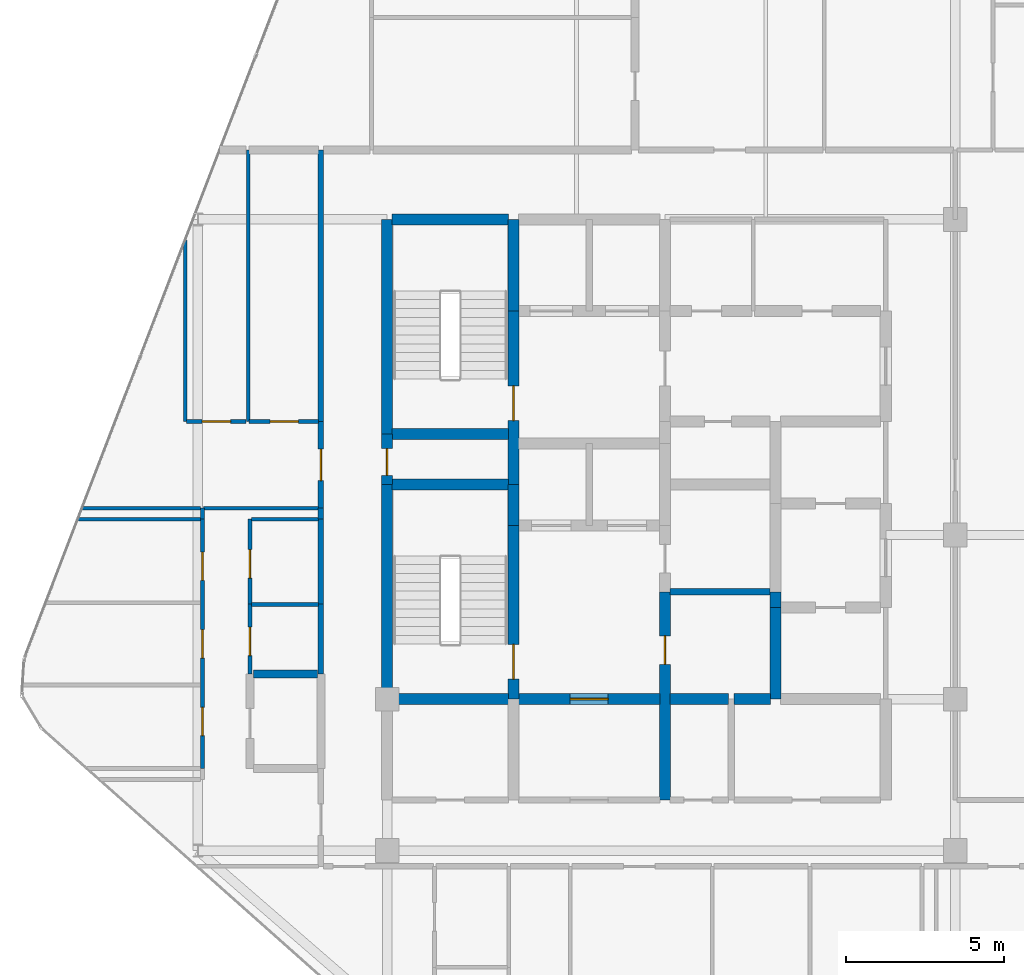
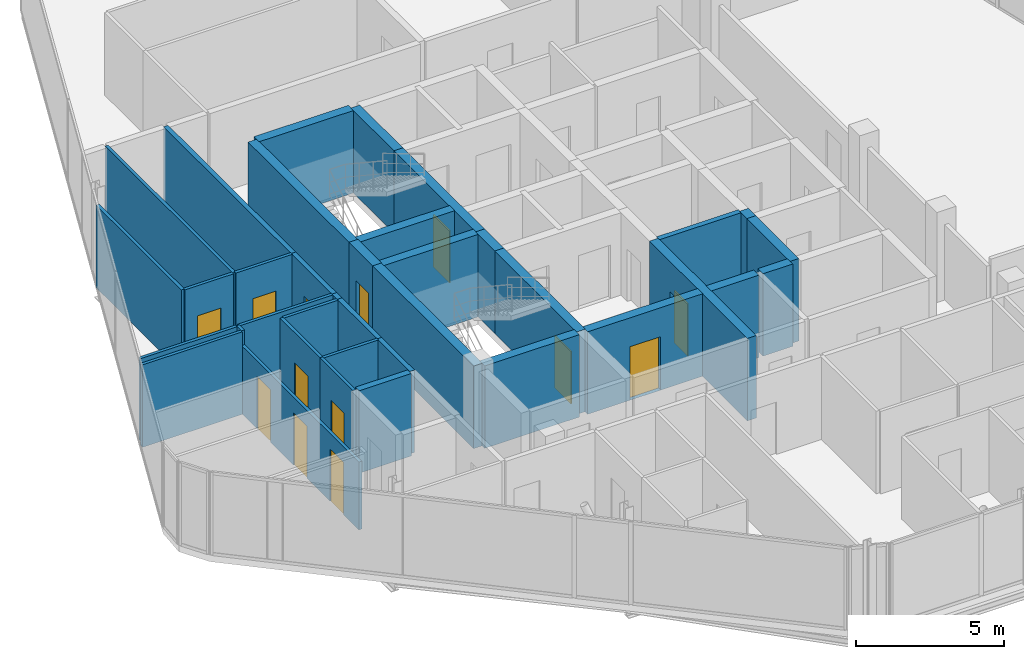
# One storey, part 23 of 27: 37 walls, 13 doors, 13 openings.
"""IFC4 building model written with IfcOpenShell, lengths in metres."""

from ifc_helpers import new_model, si_unit, direction, frame, frame_2d, origin, place, context, subcontext, project, spatial, rectangle, extrude, material, layer, layer_set, type_object, element, fill, save


model = new_model("IFC4")

# Units and contexts
model_context = context("Model", 3, precision=1e-05, world=origin(), true_north=direction((0.0, 1.0)))
body_context = subcontext(model_context, "Body", "Model", "MODEL_VIEW")
ifc_project = project(units=[si_unit("LENGTHUNIT", "METRE"), si_unit("AREAUNIT", "SQUARE_METRE"), si_unit("VOLUMEUNIT", "CUBIC_METRE"), si_unit("PLANEANGLEUNIT", "RADIAN"), si_unit("MASSUNIT", "GRAM", prefix="KILO")], contexts=[model_context])

# Site, building, storey
site_placement = place(None, origin())
site = spatial("IfcSite", under=ifc_project, at=site_placement, CompositionType="ELEMENT")
building_placement = place(site_placement, origin())
building = spatial("IfcBuilding", under=site, at=building_placement, Name="Keshet Zoharim Tower", CompositionType="ELEMENT")
storey_placement = place(building_placement, frame((0.0, 0.0, 254.699951171875)))
storey = spatial("IfcBuildingStorey", under=building, at=storey_placement, Name="L63", CompositionType="ELEMENT", Elevation=254.699951171875)

# Wall
ifc_material_1 = material(Name="Concrete C60/75", Category="concrete")
ifc_layer_1 = layer(ifc_material_1, 0.35009765625)
ifc_layer_set_1 = layer_set([ifc_layer_1], Name="Concrete C60/75")
wall_type_1 = type_object("IfcWallType", Name="WL-CORE-350", PredefinedType="SHEAR", material=ifc_layer_set_1)
wall_1_placement = place(storey_placement, frame((15.0, 22.699951171875, 0.0), z_axis=(0.0, 0.0, 1.0), x_axis=(0.0, 1.0, 0.0)))
element("IfcWall", 1, at=wall_1_placement, inside=storey, type_object=wall_type_1, Name="L63 Core Shear Wall 019", PredefinedType="SHEAR", context=body_context, shape_type="SweptSolid", body=[
    extrude(rectangle(XDim=6.800048828125, YDim=0.35009765625, at=frame_2d((3.39990234375, 0.0))), origin(), (0.0, 0.0, 1.0), 3.39013671875),
])

# Wall, opening, door
wall_2_placement = place(storey_placement, frame((15.0, 29.5, 0.0), z_axis=(0.0, 0.0, 1.0), x_axis=(0.0, 1.0, 0.0)))
wall_2 = element("IfcWall", 2, at=wall_2_placement, inside=storey, type_object=wall_type_1, Name="L63 Core Shear Wall 020", PredefinedType="SHEAR", context=body_context, shape_type="SweptSolid", body=[
    extrude(rectangle(XDim=1.60009765625, YDim=0.35009765625, at=frame_2d((0.800048828125, 0.0))), origin(), (0.0, 0.0, 1.0), 3.39013671875),
])
opening_1_placement = place(wall_2_placement, frame((0.287109375, 0.0, 0.0)))
opening_1 = element("IfcOpeningElement", 3, at=opening_1_placement, cuts=wall_2, Name="Opening D-RS85", PredefinedType="OPENING", context=body_context, shape_type="SweptSolid", body=[
    extrude(rectangle(XDim=0.85009765625, YDim=2.10009765625, at=frame_2d((0.425048828125, 1.050048828125))), frame((0.0, 0.18505859375, 0.0), z_axis=(0.0, -1.0, 0.0), x_axis=(1.0, 0.0, 0.0)), (0.0, 0.0, 1.0), 0.3701171875),
])
ifc_material_2 = material(Name="Hardwood Timber", Category="wood")
door_type_1 = type_object("IfcDoorType", Name="DR-RIS-085", OperationType="NOTDEFINED", PredefinedType="DOOR", material=ifc_material_2)
door_1_placement = place(opening_1_placement, origin())
door_1 = element("IfcDoor", 4, at=door_1_placement, inside=storey, type_object=door_type_1, Name="L63 Electrical Riser Access Cupboard Door", OperationType="SINGLE_SWING_LEFT", OverallHeight=2.10009765625, OverallWidth=0.85009765625, PredefinedType="DOOR", context=body_context, shape_type="SweptSolid", body=[
    extrude(rectangle(XDim=0.85009765625, YDim=2.10009765625, at=frame_2d((0.425048828125, 1.050048828125))), frame((0.0, 0.02490234375, 0.0), z_axis=(0.0, -1.0, 0.0), x_axis=(1.0, 0.0, 0.0)), (0.0, 0.0, 1.0), 0.050048828125),
])
fill(opening_1, door_1)

# Wall
wall_3_placement = place(storey_placement, frame((15.0, 31.10009765625, 0.0), z_axis=(0.0, 0.0, 1.0), x_axis=(0.0, 1.0, 0.0)))
element("IfcWall", 5, at=wall_3_placement, inside=storey, type_object=wall_type_1, Name="L63 Core Shear Wall 021", PredefinedType="SHEAR", context=body_context, shape_type="SweptSolid", body=[
    extrude(rectangle(XDim=6.7998046875, YDim=0.35009765625, at=frame_2d((3.39990234375, 0.0))), origin(), (0.0, 0.0, 1.0), 3.39013671875),
])

# Wall, opening, door
wall_4_placement = place(storey_placement, frame((19.0, 22.699951171875, 0.0), z_axis=(0.0, 0.0, 1.0), x_axis=(0.0, 1.0, 0.0)))
wall_4 = element("IfcWall", 6, at=wall_4_placement, inside=storey, type_object=wall_type_1, Name="L63 Core Shear Wall 027", PredefinedType="SHEAR", context=body_context, shape_type="SweptSolid", body=[
    extrude(rectangle(XDim=5.5, YDim=0.35009765625, at=frame_2d((2.75, 0.0))), origin(), (0.0, 0.0, 1.0), 3.39013671875),
])
opening_2_placement = place(wall_4_placement, frame((0.631103515625, 0.0, 0.0)))
opening_2 = element("IfcOpeningElement", 7, at=opening_2_placement, cuts=wall_4, Name="Opening D-F611", PredefinedType="OPENING", context=body_context, shape_type="SweptSolid", body=[
    extrude(rectangle(XDim=1.10009765625, YDim=2.14990234375, at=frame_2d((0.550048828125, 1.074951171875))), frame((0.0, 0.18505859375, 0.0), z_axis=(0.0, -1.0, 0.0), x_axis=(1.0, 0.0, 0.0)), (0.0, 0.0, 1.0), 0.3701171875),
])
door_type_2 = type_object("IfcDoorType", Name="DR-FD60-110", OperationType="NOTDEFINED", PredefinedType="DOOR", material=ifc_material_2)
door_2_placement = place(opening_2_placement, origin())
door_2 = element("IfcDoor", 8, at=door_2_placement, inside=storey, type_object=door_type_2, Name="L63 Exit Stair ST-01 Fire Door", OperationType="SINGLE_SWING_RIGHT", OverallHeight=2.14990234375, OverallWidth=1.10009765625, PredefinedType="DOOR", context=body_context, shape_type="SweptSolid", body=[
    extrude(rectangle(XDim=1.10009765625, YDim=2.14990234375, at=frame_2d((0.550048828125, 1.074951171875))), frame((0.0, 0.02490234375, 0.0), z_axis=(0.0, -1.0, 0.0), x_axis=(1.0, 0.0, 0.0)), (0.0, 0.0, 1.0), 0.050048828125),
])
fill(opening_2, door_2)

# Wall
wall_5_placement = place(storey_placement, frame((19.0, 28.199951171875, 0.0), z_axis=(0.0, 0.0, 1.0), x_axis=(0.0, 1.0, 0.0)))
element("IfcWall", 9, at=wall_5_placement, inside=storey, type_object=wall_type_1, Name="L63 Core Shear Wall 028", PredefinedType="SHEAR", context=body_context, shape_type="SweptSolid", body=[
    extrude(rectangle(XDim=1.300048828125, YDim=0.35009765625, at=frame_2d((0.64990234375, 0.0))), origin(), (0.0, 0.0, 1.0), 3.39013671875),
])

# Wall, opening, door
wall_6_placement = place(storey_placement, frame((19.0, 29.5, 0.0), z_axis=(0.0, 0.0, 1.0), x_axis=(0.0, 1.0, 0.0)))
wall_6 = element("IfcWall", 10, at=wall_6_placement, inside=storey, type_object=wall_type_1, Name="L63 Core Shear Wall 029", PredefinedType="SHEAR", context=body_context, shape_type="SweptSolid", body=[
    extrude(rectangle(XDim=5.5, YDim=0.35009765625, at=frame_2d((2.75, 0.0))), origin(), (0.0, 0.0, 1.0), 3.39013671875),
])
opening_3_placement = place(wall_6_placement, frame((2.02490234375, 0.0, 0.0)))
opening_3 = element("IfcOpeningElement", 11, at=opening_3_placement, cuts=wall_6, Name="Opening D-F611", PredefinedType="OPENING", context=body_context, shape_type="SweptSolid", body=[
    extrude(rectangle(XDim=1.10009765625, YDim=2.14990234375, at=frame_2d((0.550048828125, 1.074951171875))), frame((0.0, 0.18505859375, 0.0), z_axis=(0.0, -1.0, 0.0), x_axis=(1.0, 0.0, 0.0)), (0.0, 0.0, 1.0), 0.3701171875),
])
door_3_placement = place(opening_3_placement, origin())
door_3 = element("IfcDoor", 12, at=door_3_placement, inside=storey, type_object=door_type_2, Name="L63 Exit Stair ST-02 Fire Door", OperationType="SINGLE_SWING_LEFT", OverallHeight=2.14990234375, OverallWidth=1.10009765625, PredefinedType="DOOR", context=body_context, shape_type="SweptSolid", body=[
    extrude(rectangle(XDim=1.10009765625, YDim=2.14990234375, at=frame_2d((0.550048828125, 1.074951171875))), frame((0.0, 0.02490234375, 0.0), z_axis=(0.0, -1.0, 0.0), x_axis=(1.0, 0.0, 0.0)), (0.0, 0.0, 1.0), 0.050048828125),
])
fill(opening_3, door_3)

# Wall
wall_7_placement = place(storey_placement, frame((19.0, 35.0, 0.0), z_axis=(0.0, 0.0, 1.0), x_axis=(0.0, 1.0, 0.0)))
element("IfcWall", 13, at=wall_7_placement, inside=storey, type_object=wall_type_1, Name="L63 Core Shear Wall 030", PredefinedType="SHEAR", context=body_context, shape_type="SweptSolid", body=[
    extrude(rectangle(XDim=2.89990234375, YDim=0.35009765625, at=frame_2d((1.449951171875, 0.0))), origin(), (0.0, 0.0, 1.0), 3.39013671875),
])

# Wall, opening, door
wall_8_placement = place(storey_placement, frame((23.800048828125, 19.5, 0.0), z_axis=(0.0, 0.0, 1.0), x_axis=(0.0, 1.0, 0.0)))
wall_8 = element("IfcWall", 14, at=wall_8_placement, inside=storey, type_object=wall_type_1, Name="L63 Core Shear Wall 037", PredefinedType="SHEAR", context=body_context, shape_type="SweptSolid", body=[
    extrude(rectangle(XDim=6.60009765625, YDim=0.35009765625, at=frame_2d((3.300048828125, 0.0))), origin(), (0.0, 0.0, 1.0), 3.39013671875),
])
opening_4_placement = place(wall_8_placement, frame((4.303955078125, 0.0, 0.0)))
opening_4 = element("IfcOpeningElement", 15, at=opening_4_placement, cuts=wall_8, Name="Opening D-F690", PredefinedType="OPENING", context=body_context, shape_type="SweptSolid", body=[
    extrude(rectangle(XDim=0.89990234375, YDim=2.14990234375, at=frame_2d((0.449951171875, 1.074951171875))), frame((0.0, 0.18505859375, 0.0), z_axis=(0.0, -1.0, 0.0), x_axis=(1.0, 0.0, 0.0)), (0.0, 0.0, 1.0), 0.3701171875),
])
door_type_3 = type_object("IfcDoorType", Name="DR-FD60-090", OperationType="NOTDEFINED", PredefinedType="DOOR", material=ifc_material_2)
door_4_placement = place(opening_4_placement, origin())
door_4 = element("IfcDoor", 16, at=door_4_placement, inside=storey, type_object=door_type_3, Name="L63 Core Linen Store Door", OperationType="SINGLE_SWING_LEFT", OverallHeight=2.14990234375, OverallWidth=0.89990234375, PredefinedType="DOOR", context=body_context, shape_type="SweptSolid", body=[
    extrude(rectangle(XDim=0.89990234375, YDim=2.14990234375, at=frame_2d((0.449951171875, 1.074951171875))), frame((0.0, 0.02490234375, 0.0), z_axis=(0.0, -1.0, 0.0), x_axis=(1.0, 0.0, 0.0)), (0.0, 0.0, 1.0), 0.050048828125),
])
fill(opening_4, door_4)

# Walls
wall_9_placement = place(storey_placement, frame((27.300048828125, 22.699951171875, 0.0), z_axis=(0.0, 0.0, 1.0), x_axis=(0.0, 1.0, 0.0)))
element("IfcWall", 17, at=wall_9_placement, inside=storey, type_object=wall_type_1, Name="L63 Core Shear Wall 047", PredefinedType="SHEAR", context=body_context, shape_type="SweptSolid", body=[
    extrude(rectangle(XDim=2.900146484375, YDim=0.35009765625, at=frame_2d((1.4501953125, 0.0))), origin(), (0.0, 0.0, 1.0), 3.39013671875),
])
wall_10_placement = place(storey_placement, frame((27.300048828125, 25.60009765625, 0.0), z_axis=(0.0, 0.0, 1.0), x_axis=(0.0, 1.0, 0.0)))
element("IfcWall", 18, at=wall_10_placement, inside=storey, type_object=wall_type_1, Name="L63 Core Shear Wall 048", PredefinedType="SHEAR", context=body_context, shape_type="SweptSolid", body=[
    extrude(rectangle(XDim=0.5, YDim=0.35009765625, at=frame_2d((0.25, 0.0))), origin(), (0.0, 0.0, 1.0), 3.39013671875),
])
wall_11_placement = place(storey_placement, frame((15.159912109375, 22.699951171875, 0.0), z_axis=(0.0, 0.0, 1.0), x_axis=(1.0, 0.0, 0.0)))
element("IfcWall", 19, at=wall_11_placement, inside=storey, type_object=wall_type_1, Name="L63 Core Shear Wall 100", PredefinedType="SHEAR", context=body_context, shape_type="SweptSolid", body=[
    extrude(rectangle(XDim=3.68017578125, YDim=0.35009765625, at=frame_2d((1.840087890625, 0.0))), origin(), (0.0, 0.0, 1.0), 3.39013671875),
])

# Wall, opening, door
wall_12_placement = place(storey_placement, frame((19.159912109375, 22.699951171875, 0.0), z_axis=(0.0, 0.0, 1.0), x_axis=(1.0, 0.0, 0.0)))
wall_12 = element("IfcWall", 20, at=wall_12_placement, inside=storey, type_object=wall_type_1, Name="L63 Core Shear Wall 101", PredefinedType="SHEAR", context=body_context, shape_type="SweptSolid", body=[
    extrude(rectangle(XDim=4.47998046875, YDim=0.35009765625, at=frame_2d((2.239990234375, 0.0))), origin(), (0.0, 0.0, 1.0), 3.39013671875),
])
opening_5_placement = place(wall_12_placement, frame((1.639892578125, 0.0, 0.0)))
opening_5 = element("IfcOpeningElement", 21, at=opening_5_placement, cuts=wall_12, Name="Opening D-F612", PredefinedType="OPENING", context=body_context, shape_type="SweptSolid", body=[
    extrude(rectangle(XDim=1.199951171875, YDim=2.199951171875, at=frame_2d((0.60009765625, 1.10009765625))), frame((0.0, 0.18505859375, 0.0), z_axis=(0.0, -1.0, 0.0), x_axis=(1.0, 0.0, 0.0)), (0.0, 0.0, 1.0), 0.3701171875),
])
door_type_4 = type_object("IfcDoorType", Name="DR-FD60-120", OperationType="NOTDEFINED", PredefinedType="DOOR", material=ifc_material_2)
door_5_placement = place(opening_5_placement, origin())
door_5 = element("IfcDoor", 22, at=door_5_placement, inside=storey, type_object=door_type_4, Name="L63 South Core Lobby Fire Door", OperationType="SINGLE_SWING_LEFT", OverallHeight=2.199951171875, OverallWidth=1.199951171875, PredefinedType="DOOR", context=body_context, shape_type="SweptSolid", body=[
    extrude(rectangle(XDim=1.199951171875, YDim=2.199951171875, at=frame_2d((0.60009765625, 1.10009765625))), frame((0.0, 0.02490234375, 0.0), z_axis=(0.0, -1.0, 0.0), x_axis=(1.0, 0.0, 0.0)), (0.0, 0.0, 1.0), 0.050048828125),
])
fill(opening_5, door_5)

# Walls
wall_13_placement = place(storey_placement, frame((23.9599609375, 22.699951171875, 0.0), z_axis=(0.0, 0.0, 1.0), x_axis=(1.0, 0.0, 0.0)))
element("IfcWall", 23, at=wall_13_placement, inside=storey, type_object=wall_type_1, Name="L63 Core Shear Wall 102", PredefinedType="SHEAR", context=body_context, shape_type="SweptSolid", body=[
    extrude(rectangle(XDim=1.85498046875, YDim=0.35009765625, at=frame_2d((0.927490234375, 0.0))), origin(), (0.0, 0.0, 1.0), 3.39013671875),
])
wall_14_placement = place(storey_placement, frame((25.985107421875, 22.699951171875, 0.0), z_axis=(0.0, 0.0, 1.0), x_axis=(1.0, 0.0, 0.0)))
element("IfcWall", 24, at=wall_14_placement, inside=storey, type_object=wall_type_1, Name="L63 Core Shear Wall 103", PredefinedType="SHEAR", context=body_context, shape_type="SweptSolid", body=[
    extrude(rectangle(XDim=1.15478515625, YDim=0.35009765625, at=frame_2d((0.577392578125, 0.0))), origin(), (0.0, 0.0, 1.0), 3.39013671875),
])
for number, where, z_axis, x_axis, name in (
    (25, (15.159912109375, 29.5, 0.0), (0.0, 0.0, 1.0), (1.0, 0.0, 0.0), "L63 Core Shear Wall 117"),
    (26, (15.159912109375, 31.10009765625, 0.0), (0.0, 0.0, 1.0), (1.0, 0.0, 0.0), "L63 Core Shear Wall 120"),
    (27, (15.159912109375, 37.89990234375, 0.0), (0.0, 0.0, 1.0), (1.0, 0.0, 0.0), "L63 Core Shear Wall 128"),
):
    element("IfcWall", number, at=place(storey_placement, frame(where, z_axis=z_axis, x_axis=x_axis)), inside=storey, type_object=wall_type_1, Name=name, PredefinedType="SHEAR", context=body_context, shape_type="SweptSolid", body=[
        extrude(rectangle(XDim=3.68017578125, YDim=0.35009765625, at=frame_2d((1.840087890625, 0.0))), origin(), (0.0, 0.0, 1.0), 3.39013671875),
    ])
ifc_material_3 = material(Name="Gypsum Plasterboard", Category="gypsum")
ifc_layer_2 = layer(ifc_material_3, 0.179931640625)
ifc_layer_set_2 = layer_set([ifc_layer_2], Name="Gypsum Plasterboard")
wall_type_2 = type_object("IfcWallType", Name="WL-CORR-180", PredefinedType="STANDARD", material=ifc_layer_set_2)
wall_15_placement = place(storey_placement, frame((12.89990234375, 23.501953125, 0.0), z_axis=(0.0, 0.0, 1.0), x_axis=(0.0, 1.0, 0.0)))
element("IfcWall", 28, at=wall_15_placement, inside=storey, type_object=wall_type_2, Name="L63 Interior Wall 011", PredefinedType="STANDARD", context=body_context, shape_type="SweptSolid", body=[
    extrude(rectangle(XDim=2.212158203125, YDim=0.179931640625, at=frame_2d((1.10595703125, 0.0))), origin(), (0.0, 0.0, 1.0), 3.39013671875),
])
wall_16_placement = place(storey_placement, frame((12.89990234375, 25.714111328125, 0.0), z_axis=(0.0, 0.0, 1.0), x_axis=(0.0, 1.0, 0.0)))
element("IfcWall", 29, at=wall_16_placement, inside=storey, type_object=wall_type_2, Name="L63 Interior Wall 012", PredefinedType="STANDARD", context=body_context, shape_type="SweptSolid", body=[
    extrude(rectangle(XDim=2.685791015625, YDim=0.179931640625, at=frame_2d((1.3427734375, 0.0))), origin(), (0.0, 0.0, 1.0), 3.39013671875),
])
wall_17_placement = place(storey_placement, frame((12.89990234375, 28.39990234375, 0.0), z_axis=(0.0, 0.0, 1.0), x_axis=(0.0, 1.0, 0.0)))
element("IfcWall", 30, at=wall_17_placement, inside=storey, type_object=wall_type_2, Name="L63 Interior Wall 013", PredefinedType="STANDARD", context=body_context, shape_type="SweptSolid", body=[
    extrude(rectangle(XDim=0.35009765625, YDim=0.179931640625, at=frame_2d((0.175048828125, 0.0))), origin(), (0.0, 0.0, 1.0), 3.39013671875),
])

# Wall, opening, door
wall_18_placement = place(storey_placement, frame((12.89990234375, 28.75, 0.0), z_axis=(0.0, 0.0, 1.0), x_axis=(0.0, 1.0, 0.0)))
wall_18 = element("IfcWall", 31, at=wall_18_placement, inside=storey, type_object=wall_type_2, Name="L63 Interior Wall 014", PredefinedType="STANDARD", context=body_context, shape_type="SweptSolid", body=[
    extrude(rectangle(XDim=2.75, YDim=0.179931640625, at=frame_2d((1.375, 0.0))), origin(), (0.0, 0.0, 1.0), 3.39013671875),
])
opening_6_placement = place(wall_18_placement, frame((0.875, 0.0, 0.0)))
opening_6 = element("IfcOpeningElement", 32, at=opening_6_placement, cuts=wall_18, Name="Opening D-F310", PredefinedType="OPENING", context=body_context, shape_type="SweptSolid", body=[
    extrude(rectangle(XDim=1.0, YDim=2.14990234375, at=frame_2d((0.5, 1.074951171875))), frame((0.0, 0.10009765625, 0.0), z_axis=(0.0, -1.0, 0.0), x_axis=(1.0, 0.0, 0.0)), (0.0, 0.0, 1.0), 0.199951171875),
])
door_type_5 = type_object("IfcDoorType", Name="DR-FD30-100", OperationType="NOTDEFINED", PredefinedType="DOOR", material=ifc_material_2)
door_6_placement = place(opening_6_placement, origin())
door_6 = element("IfcDoor", 33, at=door_6_placement, inside=storey, type_object=door_type_5, Name="Apartment 6306 Entrance Door", OperationType="SINGLE_SWING_RIGHT", OverallHeight=2.14990234375, OverallWidth=1.0, PredefinedType="DOOR", context=body_context, shape_type="SweptSolid", body=[
    extrude(rectangle(XDim=1.0, YDim=2.14990234375, at=frame_2d((0.5, 1.074951171875))), frame((0.0, 0.02490234375, 0.0), z_axis=(0.0, -1.0, 0.0), x_axis=(1.0, 0.0, 0.0)), (0.0, 0.0, 1.0), 0.050048828125),
])
fill(opening_6, door_6)

# Walls
wall_19_placement = place(storey_placement, frame((12.89990234375, 31.5, 0.0), z_axis=(0.0, 0.0, 1.0), x_axis=(0.0, 1.0, 0.0)))
element("IfcWall", 34, at=wall_19_placement, inside=storey, type_object=wall_type_2, Name="L63 Interior Wall 015", PredefinedType="STANDARD", context=body_context, shape_type="SweptSolid", body=[
    extrude(rectangle(XDim=8.60009765625, YDim=0.179931640625, at=frame_2d((4.300048828125, 0.0))), origin(), (0.0, 0.0, 1.0), 3.39013671875),
])
ifc_material_4 = material(Name="Concrete C50/60", Category="concrete")
ifc_layer_3 = layer(ifc_material_4, 0.199951171875)
ifc_layer_set_3 = layer_set([ifc_layer_3], Name="Concrete C50/60")
wall_type_3 = type_object("IfcWallType", Name="WL-FIRE-200", PredefinedType="STANDARD", material=ifc_layer_set_3)
wall_20_placement = place(storey_placement, frame((23.9599609375, 26.10009765625, 0.0), z_axis=(0.0, 0.0, 1.0), x_axis=(1.0, 0.0, 0.0)))
element("IfcWall", 35, at=wall_20_placement, inside=storey, type_object=wall_type_3, Name="L63 Interior Wall 110", PredefinedType="STANDARD", context=body_context, shape_type="SweptSolid", body=[
    extrude(rectangle(XDim=3.179931640625, YDim=0.199951171875, at=frame_2d((1.58984375, 0.0))), origin(), (0.0, 0.0, 1.0), 3.39013671875),
])
ifc_layer_4 = layer(ifc_material_4, 0.25)
ifc_layer_set_4 = layer_set([ifc_layer_4], Name="Concrete C50/60")
wall_type_4 = type_object("IfcWallType", Name="WL-MAMAD-250", PredefinedType="STANDARD", material=ifc_layer_set_4)
wall_21_placement = place(storey_placement, frame((10.760009765625, 23.5, 0.0), z_axis=(0.0, 0.0, 1.0), x_axis=(1.0, 0.0, 0.0)))
element("IfcWall", 36, at=wall_21_placement, inside=storey, type_object=wall_type_4, Name="L63 Interior Wall 106", PredefinedType="STANDARD", context=body_context, shape_type="SweptSolid", body=[
    extrude(rectangle(XDim=2.030029296875, YDim=0.25, at=frame_2d((1.01513671875, 0.0))), origin(), (0.0, 0.0, 1.0), 3.39013671875),
])
ifc_layer_5 = layer(ifc_material_3, 0.1201171875)
ifc_layer_set_5 = layer_set([ifc_layer_5], Name="Gypsum Plasterboard")
wall_type_5 = type_object("IfcWallType", Name="WL-PART-120", PredefinedType="PARTITIONING", material=ifc_layer_set_5)
wall_22_placement = place(storey_placement, frame((8.60009765625, 31.5, 0.0), z_axis=(0.0, 0.0, 1.0), x_axis=(0.0, 1.0, 0.0)))
element("IfcWall", 37, at=wall_22_placement, inside=storey, type_object=wall_type_5, Name="L63 Interior Wall 001", PredefinedType="PARTITIONING", context=body_context, shape_type="SweptSolid", body=[
    extrude(rectangle(XDim=5.75, YDim=0.1201171875, at=frame_2d((2.875, 0.0))), origin(), (0.0, 0.0, 1.0), 3.39013671875),
])

# Wall, openings, doors
wall_23_placement = place(storey_placement, frame((9.14990234375, 20.5, 0.0), z_axis=(0.0, 0.0, 1.0), x_axis=(0.0, 1.0, 0.0)))
wall_23 = element("IfcWall", 38, at=wall_23_placement, inside=storey, type_object=wall_type_5, Name="L63 Interior Wall 003", PredefinedType="PARTITIONING", context=body_context, shape_type="SweptSolid", body=[
    extrude(rectangle(XDim=7.89990234375, YDim=0.1201171875, at=frame_2d((3.949951171875, 0.0))), origin(), (0.0, 0.0, 1.0), 2.7900390625),
])
opening_7_placement = place(wall_23_placement, frame((1.041015625, 0.0, 0.0)))
opening_7 = element("IfcOpeningElement", 39, at=opening_7_placement, cuts=wall_23, Name="Opening D-IN90", PredefinedType="OPENING", context=body_context, shape_type="SweptSolid", body=[
    extrude(rectangle(XDim=0.89990234375, YDim=2.14990234375, at=frame_2d((0.449951171875, 1.074951171875))), frame((0.0, 0.070068359375, 0.0), z_axis=(0.0, -1.0, 0.0), x_axis=(1.0, 0.0, 0.0)), (0.0, 0.0, 1.0), 0.14013671875),
])
opening_8_placement = place(wall_23_placement, frame((3.5, 0.0, 0.0)))
opening_8 = element("IfcOpeningElement", 40, at=opening_8_placement, cuts=wall_23, Name="Opening D-IN90", PredefinedType="OPENING", context=body_context, shape_type="SweptSolid", body=[
    extrude(rectangle(XDim=0.89990234375, YDim=2.14990234375, at=frame_2d((0.449951171875, 1.074951171875))), frame((0.0, 0.070068359375, 0.0), z_axis=(0.0, -1.0, 0.0), x_axis=(1.0, 0.0, 0.0)), (0.0, 0.0, 1.0), 0.14013671875),
])
opening_9_placement = place(wall_23_placement, frame((5.958984375, 0.0, 0.0)))
opening_9 = element("IfcOpeningElement", 41, at=opening_9_placement, cuts=wall_23, Name="Opening D-IN90", PredefinedType="OPENING", context=body_context, shape_type="SweptSolid", body=[
    extrude(rectangle(XDim=0.89990234375, YDim=2.14990234375, at=frame_2d((0.449951171875, 1.074951171875))), frame((0.0, 0.070068359375, 0.0), z_axis=(0.0, -1.0, 0.0), x_axis=(1.0, 0.0, 0.0)), (0.0, 0.0, 1.0), 0.14013671875),
])
door_type_6 = type_object("IfcDoorType", Name="DR-INT-090", OperationType="NOTDEFINED", PredefinedType="DOOR", material=ifc_material_2)
door_7_placement = place(opening_7_placement, origin())
door_7 = element("IfcDoor", 42, at=door_7_placement, inside=storey, type_object=door_type_6, Name="Apartment 6305 Bedroom 1 Door", OperationType="SINGLE_SWING_LEFT", OverallHeight=2.14990234375, OverallWidth=0.89990234375, PredefinedType="DOOR", context=body_context, shape_type="SweptSolid", body=[
    extrude(rectangle(XDim=0.89990234375, YDim=2.14990234375, at=frame_2d((0.449951171875, 1.074951171875))), frame((0.0, 0.02490234375, 0.0), z_axis=(0.0, -1.0, 0.0), x_axis=(1.0, 0.0, 0.0)), (0.0, 0.0, 1.0), 0.050048828125),
])
fill(opening_7, door_7)
door_8_placement = place(opening_8_placement, origin())
door_8 = element("IfcDoor", 43, at=door_8_placement, inside=storey, type_object=door_type_6, Name="Apartment 6305 Bedroom 2 Door", OperationType="SINGLE_SWING_RIGHT", OverallHeight=2.14990234375, OverallWidth=0.89990234375, PredefinedType="DOOR", context=body_context, shape_type="SweptSolid", body=[
    extrude(rectangle(XDim=0.89990234375, YDim=2.14990234375, at=frame_2d((0.449951171875, 1.074951171875))), frame((0.0, 0.02490234375, 0.0), z_axis=(0.0, -1.0, 0.0), x_axis=(1.0, 0.0, 0.0)), (0.0, 0.0, 1.0), 0.050048828125),
])
fill(opening_8, door_8)
door_9_placement = place(opening_9_placement, origin())
door_9 = element("IfcDoor", 44, at=door_9_placement, inside=storey, type_object=door_type_6, Name="Apartment 6305 Bedroom 3 Door", OperationType="SINGLE_SWING_LEFT", OverallHeight=2.14990234375, OverallWidth=0.89990234375, PredefinedType="DOOR", context=body_context, shape_type="SweptSolid", body=[
    extrude(rectangle(XDim=0.89990234375, YDim=2.14990234375, at=frame_2d((0.449951171875, 1.074951171875))), frame((0.0, 0.02490234375, 0.0), z_axis=(0.0, -1.0, 0.0), x_axis=(1.0, 0.0, 0.0)), (0.0, 0.0, 1.0), 0.050048828125),
])
fill(opening_9, door_9)

# Wall
wall_24_placement = place(storey_placement, frame((9.14990234375, 28.39990234375, 0.0), z_axis=(0.0, 0.0, 1.0), x_axis=(0.0, 1.0, 0.0)))
element("IfcWall", 45, at=wall_24_placement, inside=storey, type_object=wall_type_5, Name="L63 Interior Wall 004", PredefinedType="PARTITIONING", context=body_context, shape_type="SweptSolid", body=[
    extrude(rectangle(XDim=0.35009765625, YDim=0.1201171875, at=frame_2d((0.175048828125, 0.0))), origin(), (0.0, 0.0, 1.0), 3.39013671875),
])

# Wall, opening, door
wall_25_placement = place(storey_placement, frame((10.64990234375, 25.714111328125, 0.0), z_axis=(0.0, 0.0, 1.0), x_axis=(0.0, 1.0, 0.0)))
wall_25 = element("IfcWall", 46, at=wall_25_placement, inside=storey, type_object=wall_type_5, Name="L63 Interior Wall 008", PredefinedType="PARTITIONING", context=body_context, shape_type="SweptSolid", body=[
    extrude(rectangle(XDim=2.685791015625, YDim=0.1201171875, at=frame_2d((1.3427734375, 0.0))), origin(), (0.0, 0.0, 1.0), 3.39013671875),
])
opening_10_placement = place(wall_25_placement, frame((0.822021484375, 0.0, 0.0)))
opening_10 = element("IfcOpeningElement", 47, at=opening_10_placement, cuts=wall_25, Name="Opening D-IN90", PredefinedType="OPENING", context=body_context, shape_type="SweptSolid", body=[
    extrude(rectangle(XDim=0.89990234375, YDim=2.14990234375, at=frame_2d((0.449951171875, 1.074951171875))), frame((0.0, 0.070068359375, 0.0), z_axis=(0.0, -1.0, 0.0), x_axis=(1.0, 0.0, 0.0)), (0.0, 0.0, 1.0), 0.14013671875),
])
door_10_placement = place(opening_10_placement, origin())
door_10 = element("IfcDoor", 48, at=door_10_placement, inside=storey, type_object=door_type_6, Name="Apartment 6305 Kitchen Door", OperationType="SINGLE_SWING_RIGHT", OverallHeight=2.14990234375, OverallWidth=0.89990234375, PredefinedType="DOOR", context=body_context, shape_type="SweptSolid", body=[
    extrude(rectangle(XDim=0.89990234375, YDim=2.14990234375, at=frame_2d((0.449951171875, 1.074951171875))), frame((0.0, 0.02490234375, 0.0), z_axis=(0.0, -1.0, 0.0), x_axis=(1.0, 0.0, 0.0)), (0.0, 0.0, 1.0), 0.050048828125),
])
fill(opening_10, door_10)

# Walls
wall_26_placement = place(storey_placement, frame((5.201904296875, 28.39990234375, 0.0), z_axis=(0.0, 0.0, 1.0), x_axis=(1.0, 0.0, 0.0)))
element("IfcWall", 49, at=wall_26_placement, inside=storey, type_object=wall_type_5, Name="L63 Interior Wall 112", PredefinedType="PARTITIONING", context=body_context, shape_type="SweptSolid", body=[
    extrude(rectangle(XDim=3.883056640625, YDim=0.1201171875, at=frame_2d((1.94140625, 0.0))), origin(), (0.0, 0.0, 1.0), 3.39013671875),
])
wall_27_placement = place(storey_placement, frame((10.695068359375, 28.39990234375, 0.0), z_axis=(0.0, 0.0, 1.0), x_axis=(1.0, 0.0, 0.0)))
element("IfcWall", 50, at=wall_27_placement, inside=storey, type_object=wall_type_5, Name="L63 Interior Wall 113", PredefinedType="PARTITIONING", context=body_context, shape_type="SweptSolid", body=[
    extrude(rectangle(XDim=2.1298828125, YDim=0.1201171875, at=frame_2d((1.06494140625, 0.0))), origin(), (0.0, 0.0, 1.0), 3.39013671875),
])
wall_28_placement = place(storey_placement, frame((5.3369140625, 28.75, 0.0), z_axis=(0.0, 0.0, 1.0), x_axis=(1.0, 0.0, 0.0)))
element("IfcWall", 51, at=wall_28_placement, inside=storey, type_object=wall_type_5, Name="L63 Interior Wall 114", PredefinedType="PARTITIONING", context=body_context, shape_type="SweptSolid", body=[
    extrude(rectangle(XDim=3.748046875, YDim=0.1201171875, at=frame_2d((1.8740234375, 0.0))), origin(), (0.0, 0.0, 1.0), 3.39013671875),
])
wall_29_placement = place(storey_placement, frame((9.175048828125, 28.75, 0.0), z_axis=(0.0, 0.0, 1.0), x_axis=(1.0, 0.0, 0.0)))
element("IfcWall", 52, at=wall_29_placement, inside=storey, type_object=wall_type_5, Name="L63 Interior Wall 115", PredefinedType="PARTITIONING", context=body_context, shape_type="SweptSolid", body=[
    extrude(rectangle(XDim=3.64990234375, YDim=0.1201171875, at=frame_2d((1.824951171875, 0.0))), origin(), (0.0, 0.0, 1.0), 3.39013671875),
])

# Wall, opening, door
wall_30_placement = place(storey_placement, frame((8.64501953125, 31.5, 0.0), z_axis=(0.0, 0.0, 1.0), x_axis=(1.0, 0.0, 0.0)))
wall_30 = element("IfcWall", 53, at=wall_30_placement, inside=storey, type_object=wall_type_5, Name="L63 Interior Wall 121", PredefinedType="PARTITIONING", context=body_context, shape_type="SweptSolid", body=[
    extrude(rectangle(XDim=1.887939453125, YDim=0.1201171875, at=frame_2d((0.94384765625, 0.0))), origin(), (0.0, 0.0, 1.0), 3.39013671875),
])
opening_11_placement = place(wall_30_placement, frame((0.493896484375, 0.0, 0.0)))
opening_11 = element("IfcOpeningElement", 54, at=opening_11_placement, cuts=wall_30, Name="Opening D-IN90", PredefinedType="OPENING", context=body_context, shape_type="SweptSolid", body=[
    extrude(rectangle(XDim=0.89990234375, YDim=2.14990234375, at=frame_2d((0.449951171875, 1.074951171875))), frame((0.0, 0.070068359375, 0.0), z_axis=(0.0, -1.0, 0.0), x_axis=(1.0, 0.0, 0.0)), (0.0, 0.0, 1.0), 0.14013671875),
])
door_11_placement = place(opening_11_placement, origin())
door_11 = element("IfcDoor", 55, at=door_11_placement, inside=storey, type_object=door_type_6, Name="Apartment 6306 Kitchen Door", OperationType="SINGLE_SWING_RIGHT", OverallHeight=2.14990234375, OverallWidth=0.89990234375, PredefinedType="DOOR", context=body_context, shape_type="SweptSolid", body=[
    extrude(rectangle(XDim=0.89990234375, YDim=2.14990234375, at=frame_2d((0.449951171875, 1.074951171875))), frame((0.0, 0.02490234375, 0.0), z_axis=(0.0, -1.0, 0.0), x_axis=(1.0, 0.0, 0.0)), (0.0, 0.0, 1.0), 0.050048828125),
])
fill(opening_11, door_11)

# Wall
ifc_layer_6 = layer(ifc_material_3, 0.1201171875)
ifc_layer_set_6 = layer_set([ifc_layer_6], Name="Gypsum Plasterboard")
wall_type_6 = type_object("IfcWallType", Name="WL-WET-120", PredefinedType="PARTITIONING", material=ifc_layer_set_6)
wall_31_placement = place(storey_placement, frame((10.60009765625, 31.5, 0.0), z_axis=(0.0, 0.0, 1.0), x_axis=(0.0, 1.0, 0.0)))
element("IfcWall", 56, at=wall_31_placement, inside=storey, type_object=wall_type_6, Name="L63 Interior Wall 005", PredefinedType="PARTITIONING", context=body_context, shape_type="SweptSolid", body=[
    extrude(rectangle(XDim=8.60009765625, YDim=0.1201171875, at=frame_2d((4.300048828125, 0.0))), origin(), (0.0, 0.0, 1.0), 3.39013671875),
])

# Wall, opening, door
wall_32_placement = place(storey_placement, frame((10.64990234375, 23.501953125, 0.0), z_axis=(0.0, 0.0, 1.0), x_axis=(0.0, 1.0, 0.0)))
wall_32 = element("IfcWall", 57, at=wall_32_placement, inside=storey, type_object=wall_type_6, Name="L63 Interior Wall 007", PredefinedType="PARTITIONING", context=body_context, shape_type="SweptSolid", body=[
    extrude(rectangle(XDim=2.212158203125, YDim=0.1201171875, at=frame_2d((1.10595703125, 0.0))), origin(), (0.0, 0.0, 1.0), 3.39013671875),
])
opening_12_placement = place(wall_32_placement, frame((0.577880859375, 0.0, 0.0)))
opening_12 = element("IfcOpeningElement", 58, at=opening_12_placement, cuts=wall_32, Name="Opening D-WT90", PredefinedType="OPENING", context=body_context, shape_type="SweptSolid", body=[
    extrude(rectangle(XDim=0.89990234375, YDim=2.10009765625, at=frame_2d((0.449951171875, 1.050048828125))), frame((0.0, 0.070068359375, 0.0), z_axis=(0.0, -1.0, 0.0), x_axis=(1.0, 0.0, 0.0)), (0.0, 0.0, 1.0), 0.14013671875),
])
door_type_7 = type_object("IfcDoorType", Name="DR-WET-090", OperationType="NOTDEFINED", PredefinedType="DOOR", material=ifc_material_2)
door_12_placement = place(opening_12_placement, origin())
door_12 = element("IfcDoor", 59, at=door_12_placement, inside=storey, type_object=door_type_7, Name="Apartment 6305 Bathroom Door", OperationType="SINGLE_SWING_LEFT", OverallHeight=2.10009765625, OverallWidth=0.89990234375, PredefinedType="DOOR", context=body_context, shape_type="SweptSolid", body=[
    extrude(rectangle(XDim=0.89990234375, YDim=2.10009765625, at=frame_2d((0.449951171875, 1.050048828125))), frame((0.0, 0.02490234375, 0.0), z_axis=(0.0, -1.0, 0.0), x_axis=(1.0, 0.0, 0.0)), (0.0, 0.0, 1.0), 0.050048828125),
])
fill(opening_12, door_12)

# Wall
wall_33_placement = place(storey_placement, frame((10.695068359375, 25.699951171875, 0.0), z_axis=(0.0, 0.0, 1.0), x_axis=(1.0, 0.0, 0.0)))
element("IfcWall", 60, at=wall_33_placement, inside=storey, type_object=wall_type_6, Name="L63 Interior Wall 108", PredefinedType="PARTITIONING", context=body_context, shape_type="SweptSolid", body=[
    extrude(rectangle(XDim=2.1298828125, YDim=0.1201171875, at=frame_2d((1.06494140625, 0.0))), origin(), (0.0, 0.0, 1.0), 3.39013671875),
])

# Wall, opening, door
wall_34_placement = place(storey_placement, frame((10.623046875, 31.5, 0.0), z_axis=(0.0, 0.0, 1.0), x_axis=(1.0, 0.0, 0.0)))
wall_34 = element("IfcWall", 61, at=wall_34_placement, inside=storey, type_object=wall_type_6, Name="L63 Interior Wall 122", PredefinedType="PARTITIONING", context=body_context, shape_type="SweptSolid", body=[
    extrude(rectangle(XDim=2.201904296875, YDim=0.1201171875, at=frame_2d((1.10107421875, 0.0))), origin(), (0.0, 0.0, 1.0), 3.39013671875),
])
opening_13_placement = place(wall_34_placement, frame((0.666015625, 0.0, 0.0)))
opening_13 = element("IfcOpeningElement", 62, at=opening_13_placement, cuts=wall_34, Name="Opening D-WT90", PredefinedType="OPENING", context=body_context, shape_type="SweptSolid", body=[
    extrude(rectangle(XDim=0.89990234375, YDim=2.10009765625, at=frame_2d((0.449951171875, 1.050048828125))), frame((0.0, 0.070068359375, 0.0), z_axis=(0.0, -1.0, 0.0), x_axis=(1.0, 0.0, 0.0)), (0.0, 0.0, 1.0), 0.14013671875),
])
door_13_placement = place(opening_13_placement, origin())
door_13 = element("IfcDoor", 63, at=door_13_placement, inside=storey, type_object=door_type_7, Name="Apartment 6306 Bathroom Door", OperationType="SINGLE_SWING_LEFT", OverallHeight=2.10009765625, OverallWidth=0.89990234375, PredefinedType="DOOR", context=body_context, shape_type="SweptSolid", body=[
    extrude(rectangle(XDim=0.89990234375, YDim=2.10009765625, at=frame_2d((0.449951171875, 1.050048828125))), frame((0.0, 0.02490234375, 0.0), z_axis=(0.0, -1.0, 0.0), x_axis=(1.0, 0.0, 0.0)), (0.0, 0.0, 1.0), 0.050048828125),
])
fill(opening_13, door_13)

save(model, "model.ifc")
